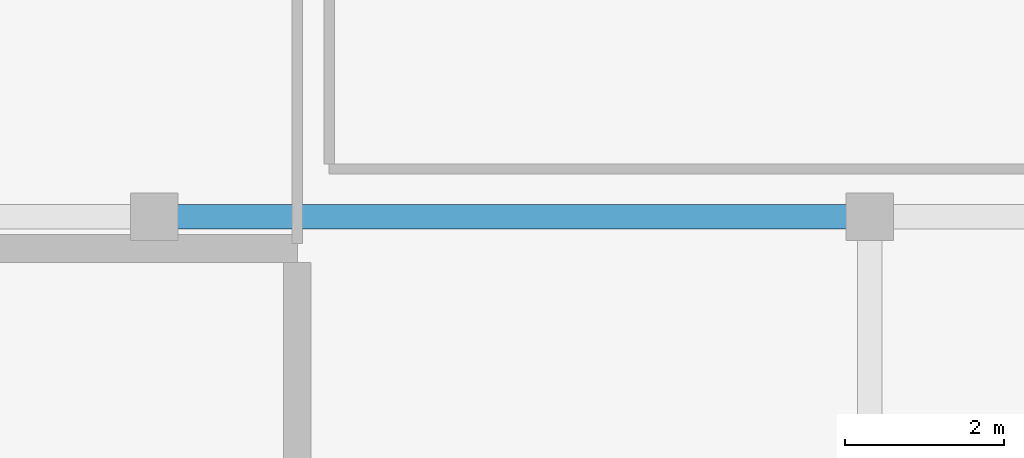
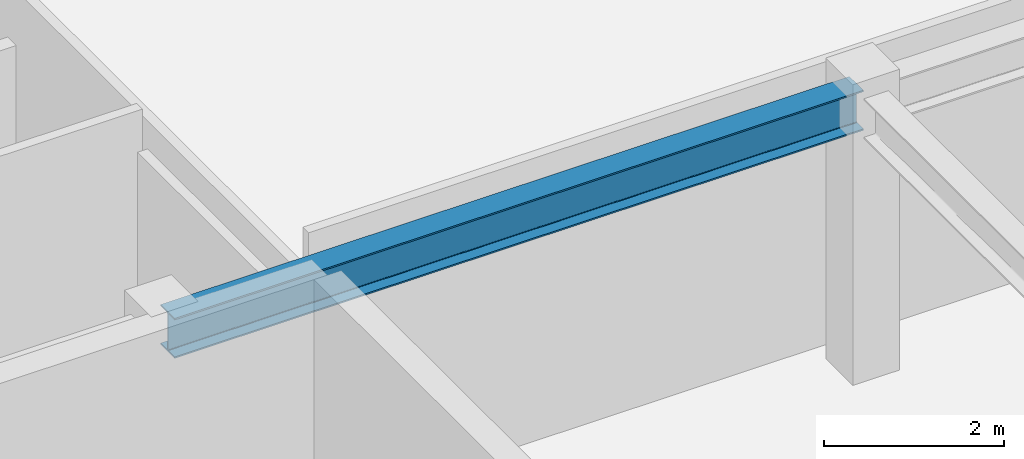
# One storey, part 18 of 110: 1 beam.
"""IFC4 building model written with IfcOpenShell, lengths in metres."""

from ifc_helpers import new_model, si_unit, direction, frame, origin, origin_2d, place, context, subcontext, project, spatial, i_section, extrude, material, material_profile, profile_set, type_object, element, save


model = new_model("IFC4")

# Units and contexts
model_context = context("Model", 3, precision=1e-05, world=origin(), true_north=direction((0.0, 1.0)))
body_context = subcontext(model_context, "Body", "Model", "MODEL_VIEW")
ifc_project = project(units=[si_unit("LENGTHUNIT", "METRE"), si_unit("AREAUNIT", "SQUARE_METRE"), si_unit("VOLUMEUNIT", "CUBIC_METRE"), si_unit("PLANEANGLEUNIT", "RADIAN"), si_unit("MASSUNIT", "GRAM", prefix="KILO")], contexts=[model_context])

# Site, building, storey
site_placement = place(None, origin())
site = spatial("IfcSite", under=ifc_project, at=site_placement, CompositionType="ELEMENT")
building_placement = place(site_placement, origin())
building = spatial("IfcBuilding", under=site, at=building_placement, Name="Miravela Opera House", CompositionType="ELEMENT")
storey_placement = place(building_placement, frame((0.0, 0.0, 13.60009765625)))
storey = spatial("IfcBuildingStorey", under=building, at=storey_placement, Name="L03", CompositionType="ELEMENT", Elevation=13.60009765625)

# Beam
ifc_material = material(Name="Structural steel ASTM A992 Gr. 50", Category="steel")
ifc_material_profile = material_profile(ifc_material, i_section(OverallWidth=0.31201171875, OverallDepth=0.54296875, WebThickness=0.0126953125, FlangeThickness=0.020263671875, FilletRadius=0.01611328125, at=origin_2d()), Name="W530X150")
ifc_profile_set = profile_set([ifc_material_profile])
beam_type = type_object("IfcBeamType", Name="STR-BM-W530X150", PredefinedType="BEAM", material=ifc_profile_set)
beam_placement = place(storey_placement, frame((72.080078125, 9.0, 3.568359375), z_axis=(1.0, 0.0, 0.0), x_axis=(0.0, 1.0, 0.0)))
element("IfcBeam", 1, at=beam_placement, inside=storey, type_object=beam_type, Name="Roof Eave Girder ROOF-V4-WEST-S N7", PredefinedType="BEAM", context=body_context, shape_type="SweptSolid", body=[
    extrude(i_section(OverallWidth=0.31201171875, OverallDepth=0.54296875, WebThickness=0.0126953125, FlangeThickness=0.020263671875, FilletRadius=0.01611328125, at=origin_2d()), origin(), (0.0, 0.0, 1.0), 8.83984375),
])

save(model, "model.ifc")
